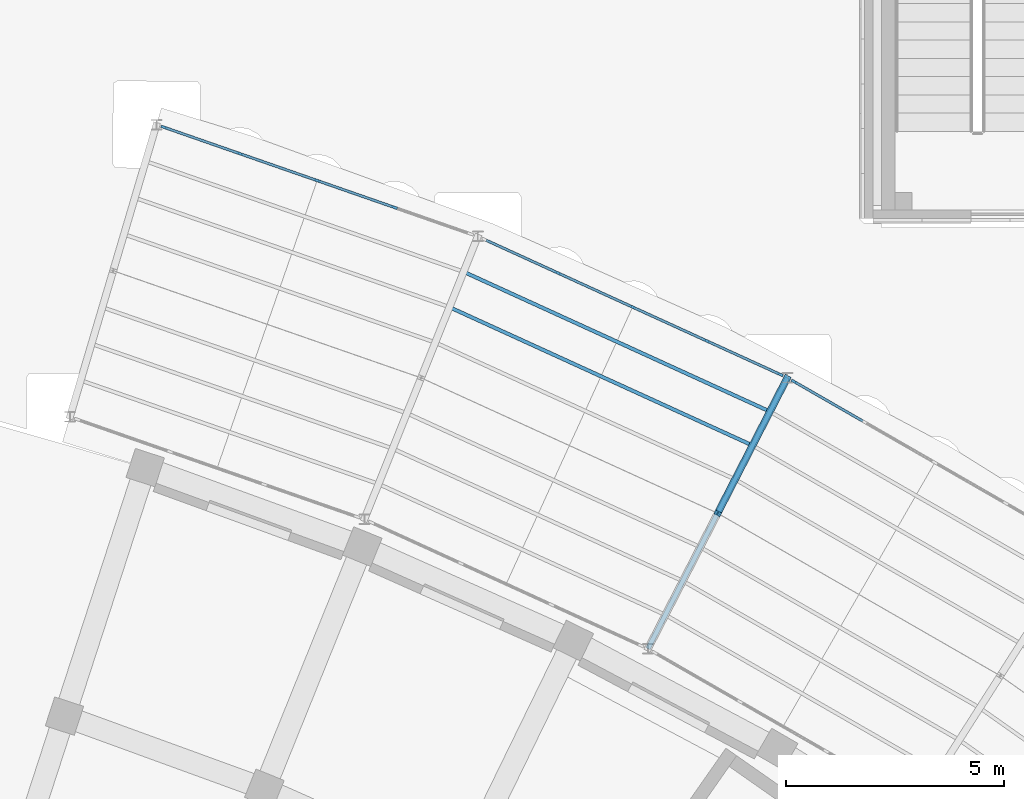
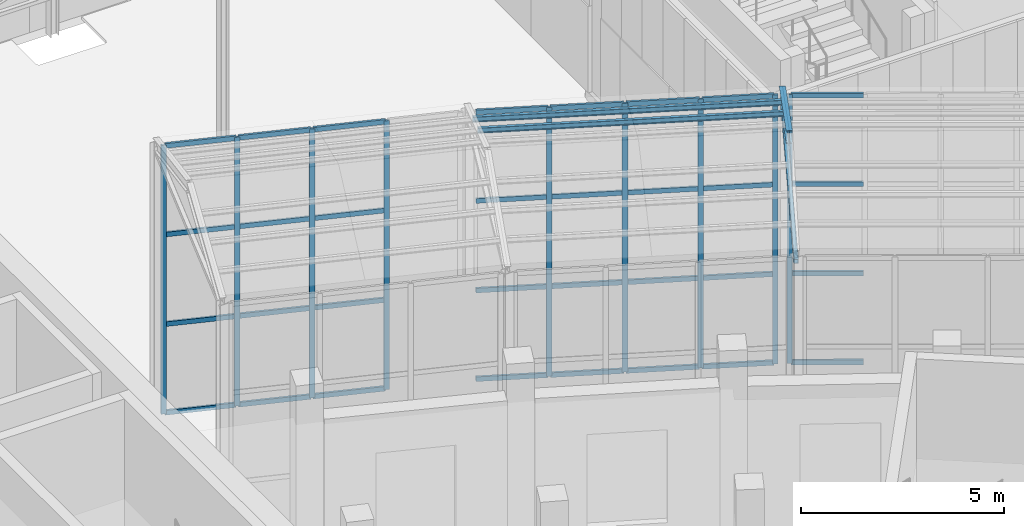
# One storey, part 47 of 155: 43 members, 2 beams, 3 elements without a shape of their own.
"""IFC4 building model written with IfcOpenShell, lengths in metres."""

from ifc_helpers import new_model, si_unit, direction, frame, origin, origin_2d, place, context, subcontext, project, spatial, rectangle, hollow_rectangle, i_section, extrude, material, layer, layer_set, material_profile, profile_set, type_object, element, aggregate, save


model = new_model("IFC4")

# Units and contexts
model_context = context("Model", 3, precision=1e-05, world=origin(), true_north=direction((0.0, 1.0)))
body_context = subcontext(model_context, "Body", "Model", "MODEL_VIEW")
ifc_project = project(units=[si_unit("LENGTHUNIT", "METRE"), si_unit("AREAUNIT", "SQUARE_METRE"), si_unit("VOLUMEUNIT", "CUBIC_METRE"), si_unit("PLANEANGLEUNIT", "RADIAN"), si_unit("MASSUNIT", "GRAM", prefix="KILO")], contexts=[model_context])

# Site, building, storey
site_placement = place(None, origin())
site = spatial("IfcSite", under=ifc_project, at=site_placement, CompositionType="ELEMENT")
building_placement = place(site_placement, origin())
building = spatial("IfcBuilding", under=site, at=building_placement, Name="Lunette Opera House", CompositionType="ELEMENT")
storey_placement = place(building_placement, origin())
storey = spatial("IfcBuildingStorey", under=building, at=storey_placement, Name="L00", CompositionType="ELEMENT", Elevation=0.0)

# Curtain wall, members
ifc_material_1 = material(Name="Aluminium", Category="aluminium")
ifc_layer = layer(ifc_material_1, 0.139892578125)
ifc_layer_set = layer_set([ifc_layer], Name="Aluminium")
curtain_wall_type = type_object("IfcCurtainWallType", Name="PASSAGE CURTAIN WALL", PredefinedType="NOTDEFINED", material=ifc_layer_set)
curtain_wall_1_placement = place(storey_placement, origin())
curtain_wall_1 = element("IfcCurtainWall", 1, at=curtain_wall_1_placement, inside=storey, type_object=curtain_wall_type, Name="Passage Curtain Wall EO1 L00", PredefinedType="NOTDEFINED")
ifc_material_2 = material(Name="Aluminium", Category="aluminium")
ifc_material_profile_1 = material_profile(ifc_material_2, rectangle(XDim=0.06005859375, YDim=0.139892578125, at=origin_2d()), Name="MULLION 60 X 140")
ifc_profile_set_1 = profile_set([ifc_material_profile_1], Name="Aluminium")
member_type_1 = type_object("IfcMemberType", Name="MULLION 60 X 140", PredefinedType="MULLION", material=ifc_profile_set_1)
member_1_placement = place(storey_placement, frame((119.914306640625, 80.09814453125, 0.0), z_axis=(0.0, 0.0, 1.0), x_axis=(0.328618707109, 0.94446267546, 0.0)))
member_1 = element("IfcMember", 2, at=member_1_placement, type_object=member_type_1, Name="PP-X2007 mullion 1", PredefinedType="MULLION", context=body_context, shape_type="SweptSolid", body=[
    extrude(rectangle(XDim=0.06005859375, YDim=0.139892578125, at=origin_2d()), origin(), (0.0, 0.0, 1.0), 8.10009765625),
])
member_2_placement = place(storey_placement, frame((121.659912109375, 79.49072265625, 0.0), z_axis=(0.0, 0.0, 1.0), x_axis=(0.328618707109, 0.94446267546, 0.0)))
member_2 = element("IfcMember", 3, at=member_2_placement, type_object=member_type_1, Name="PP-X2007 mullion 2", PredefinedType="MULLION", context=body_context, shape_type="SweptSolid", body=[
    extrude(rectangle(XDim=0.06005859375, YDim=0.139892578125, at=origin_2d()), origin(), (0.0, 0.0, 1.0), 8.10009765625),
])
member_3_placement = place(storey_placement, frame((123.43408203125, 78.87353515625, 0.0), z_axis=(0.0, 0.0, 1.0), x_axis=(0.328618707109, 0.94446267546, 0.0)))
member_3 = element("IfcMember", 4, at=member_3_placement, type_object=member_type_1, Name="PP-X2007 mullion 3", PredefinedType="MULLION", context=body_context, shape_type="SweptSolid", body=[
    extrude(rectangle(XDim=0.06005859375, YDim=0.139892578125, at=origin_2d()), origin(), (0.0, 0.0, 1.0), 8.10009765625),
])
member_4_placement = place(storey_placement, frame((125.2080078125, 78.25634765625, 0.0), z_axis=(0.0, 0.0, 1.0), x_axis=(0.328618707109, 0.94446267546, 0.0)))
member_4 = element("IfcMember", 5, at=member_4_placement, type_object=member_type_1, Name="PP-X2007 mullion 4", PredefinedType="MULLION", context=body_context, shape_type="SweptSolid", body=[
    extrude(rectangle(XDim=0.06005859375, YDim=0.139892578125, at=origin_2d()), origin(), (0.0, 0.0, 1.0), 8.10009765625),
])

curtain_wall_2_placement = place(storey_placement, origin())
curtain_wall_2 = element("IfcCurtainWall", 6, at=curtain_wall_2_placement, inside=storey, type_object=curtain_wall_type, Name="Passage Curtain Wall EO2 L00", PredefinedType="NOTDEFINED")
member_5_placement = place(storey_placement, frame((128.968994140625, 76.748046875, 0.0), z_axis=(0.0, 0.0, 1.0), x_axis=(0.415206161321, 0.909727345747, 0.0)))
member_5 = element("IfcMember", 7, at=member_5_placement, type_object=member_type_1, Name="PP-X2008 mullion 2", PredefinedType="MULLION", context=body_context, shape_type="SweptSolid", body=[
    extrude(rectangle(XDim=0.06005859375, YDim=0.139892578125, at=origin_2d()), origin(), (0.0, 0.0, 1.0), 8.10009765625),
])
member_6_placement = place(storey_placement, frame((130.677978515625, 75.968017578125, 0.0), z_axis=(0.0, 0.0, 1.0), x_axis=(0.415206161321, 0.909727345747, 0.0)))
member_6 = element("IfcMember", 8, at=member_6_placement, type_object=member_type_1, Name="PP-X2008 mullion 3", PredefinedType="MULLION", context=body_context, shape_type="SweptSolid", body=[
    extrude(rectangle(XDim=0.06005859375, YDim=0.139892578125, at=origin_2d()), origin(), (0.0, 0.0, 1.0), 8.10009765625),
])
member_7_placement = place(storey_placement, frame((132.386962890625, 75.18798828125, 0.0), z_axis=(0.0, 0.0, 1.0), x_axis=(0.415206161321, 0.909727345747, 0.0)))
member_7 = element("IfcMember", 9, at=member_7_placement, type_object=member_type_1, Name="PP-X2008 mullion 4", PredefinedType="MULLION", context=body_context, shape_type="SweptSolid", body=[
    extrude(rectangle(XDim=0.06005859375, YDim=0.139892578125, at=origin_2d()), origin(), (0.0, 0.0, 1.0), 8.10009765625),
])
member_8_placement = place(storey_placement, frame((134.068603515625, 74.42041015625, 0.0), z_axis=(0.0, 0.0, 1.0), x_axis=(0.415206161321, 0.909727345747, 0.0)))
member_8 = element("IfcMember", 10, at=member_8_placement, type_object=member_type_1, Name="PP-X2008 mullion 5", PredefinedType="MULLION", context=body_context, shape_type="SweptSolid", body=[
    extrude(rectangle(XDim=0.06005859375, YDim=0.139892578125, at=origin_2d()), origin(), (0.0, 0.0, 1.0), 8.10009765625),
])

# Curtain wall, member
curtain_wall_3_placement = place(storey_placement, origin())
curtain_wall_3 = element("IfcCurtainWall", 11, at=curtain_wall_3_placement, inside=storey, type_object=curtain_wall_type, Name="Passage Curtain Wall EO3 L00", PredefinedType="NOTDEFINED")
member_9_placement = place(storey_placement, frame((134.387939453125, 74.256103515625, 0.0), z_axis=(0.0, 0.0, 1.0), x_axis=(0.498416112536, 0.866937932475, 0.0)))
member_9 = element("IfcMember", 12, at=member_9_placement, type_object=member_type_1, Name="PP-X2009 mullion 1", PredefinedType="MULLION", context=body_context, shape_type="SweptSolid", body=[
    extrude(rectangle(XDim=0.06005859375, YDim=0.139892578125, at=origin_2d()), origin(), (0.0, 0.0, 1.0), 8.10009765625),
])

# Members
ifc_material_3 = material(Name="Steel S355", Category="steel")
ifc_material_profile_2 = material_profile(ifc_material_3, i_section(OverallWidth=0.08203125, OverallDepth=0.159912109375, WebThickness=0.0048828125, FlangeThickness=0.00732421875, FilletRadius=0.009033203125, at=origin_2d()), Name="IPE 160")
ifc_profile_set_2 = profile_set([ifc_material_profile_2], Name="Steel S355")
member_type_2 = type_object("IfcMemberType", Name="PURLIN IPE 160", PredefinedType="PURLIN", material=ifc_profile_set_2)
member_10_placement = place(storey_placement, frame((126.798095703125, 76.778076171875, 8.47509765625), z_axis=(0.909745825306, -0.415165669749, 0.0), x_axis=(0.415165669749, 0.909745825306, 0.0)))
element("IfcMember", 13, at=member_10_placement, inside=storey, type_object=member_type_2, Name="mem-PP-L00-PU6B1", PredefinedType="PURLIN", context=body_context, shape_type="SweptSolid", body=[
    extrude(i_section(OverallWidth=0.08203125, OverallDepth=0.159912109375, WebThickness=0.0048828125, FlangeThickness=0.00732421875, FilletRadius=0.009033203125, at=origin_2d()), origin(), (0.0, 0.0, 1.0), 7.731689453125),
])
member_11_placement = place(storey_placement, frame((126.471923828125, 75.966064453125, 8.75), z_axis=(0.909754562363, -0.415146523845, 0.0), x_axis=(0.415146523845, 0.909754562363, 0.0)))
element("IfcMember", 14, at=member_11_placement, inside=storey, type_object=member_type_2, Name="mem-PP-L00-PU6B2", PredefinedType="PURLIN", context=body_context, shape_type="SweptSolid", body=[
    extrude(i_section(OverallWidth=0.08203125, OverallDepth=0.159912109375, WebThickness=0.0048828125, FlangeThickness=0.00732421875, FilletRadius=0.009033203125, at=origin_2d()), origin(), (0.0, 0.0, 1.0), 7.650390625),
])

# Beams
ifc_material_4 = material(Name="Steel S355", Category="steel")
ifc_material_profile_3 = material_profile(ifc_material_4, i_section(OverallWidth=0.159912109375, OverallDepth=0.330078125, WebThickness=0.007568359375, FlangeThickness=0.011474609375, FilletRadius=0.01806640625, at=origin_2d()), Name="IPE 330")
ifc_profile_set_3 = profile_set([ifc_material_profile_3], Name="Steel S355")
beam_type_1 = type_object("IfcBeamType", Name="STEEL BEAM IPE 330", PredefinedType="BEAM", material=ifc_profile_set_3)
beam_1_placement = place(storey_placement, frame((134.23193359375, 74.345947265625, 8.14990234375), z_axis=(-0.436059399713, -0.848495865365, 0.299844903877), x_axis=(0.889419886037, -0.45709109193, 0.0)))
element("IfcBeam", 15, at=beam_1_placement, inside=storey, type_object=beam_type_1, Name="beam-PP-L00-RF7B", PredefinedType="BEAM", context=body_context, shape_type="SweptSolid", body=[
    extrude(i_section(OverallWidth=0.159912109375, OverallDepth=0.330078125, WebThickness=0.007568359375, FlangeThickness=0.011474609375, FilletRadius=0.01806640625, at=origin_2d()), origin(), (0.0, 0.0, 1.0), 3.6689453125),
])
ifc_material_5 = material(Name="Steel S355", Category="steel")
ifc_material_profile_4 = material_profile(ifc_material_5, hollow_rectangle(XDim=0.1201171875, YDim=0.1201171875, WallThickness=0.006103515625, InnerFilletRadius=0.006103515625, OuterFilletRadius=0.011962890625, at=origin_2d()), Name="RHS 120X120X6")
ifc_profile_set_4 = profile_set([ifc_material_profile_4], Name="Steel S355")
beam_type_2 = type_object("IfcBeamType", Name="STEEL BEAM RHS 120X120X6", PredefinedType="BEAM", material=ifc_profile_set_4)
beam_2_placement = place(storey_placement, frame((131.031005859375, 68.12109375, 7.949951171875), z_axis=(0.457299937783, 0.889312524877, 0.0), x_axis=(-0.889312524877, 0.457299937783, 0.0)))
element("IfcBeam", 16, at=beam_2_placement, inside=storey, type_object=beam_type_2, Name="beam-PP-L00-TI7", PredefinedType="BEAM", context=body_context, shape_type="SweptSolid", body=[
    extrude(hollow_rectangle(XDim=0.1201171875, YDim=0.1201171875, WallThickness=0.006103515625, InnerFilletRadius=0.006103515625, OuterFilletRadius=0.011962890625, at=origin_2d()), origin(), (0.0, 0.0, 1.0), 6.99951171875),
])

# Member
ifc_material_6 = material(Name="Aluminium", Category="aluminium")
ifc_material_profile_5 = material_profile(ifc_material_6, rectangle(XDim=0.06005859375, YDim=0.139892578125, at=origin_2d()), Name="TRANSOM 60 X 140")
ifc_profile_set_5 = profile_set([ifc_material_profile_5], Name="Aluminium")
member_type_3 = type_object("IfcMemberType", Name="TRANSOM 60 X 140", PredefinedType="USERDEFINED", material=ifc_profile_set_5)
member_12_placement = place(storey_placement, frame((119.942626953125, 80.08837890625, 0.030029296875), z_axis=(0.944423104543, -0.328732413377, 0.0), x_axis=(0.328732413377, 0.944423104543, 0.0)))
member_12 = element("IfcMember", 17, at=member_12_placement, type_object=member_type_3, Name="PP-X2007 transom 1.1", ObjectType="TRANSOM", PredefinedType="USERDEFINED", context=body_context, shape_type="SweptSolid", body=[
    extrude(rectangle(XDim=0.06005859375, YDim=0.139892578125, at=origin_2d()), origin(), (0.0, 0.0, 1.0), 1.788330078125),
])

member_13_placement = place(storey_placement, frame((119.942626953125, 80.08837890625, 2.699951171875), z_axis=(0.944423104543, -0.328732413377, 0.0), x_axis=(0.328732413377, 0.944423104543, 0.0)))
member_13 = element("IfcMember", 18, at=member_13_placement, type_object=member_type_3, Name="PP-X2007 transom 1.2", ObjectType="TRANSOM", PredefinedType="USERDEFINED", context=body_context, shape_type="SweptSolid", body=[
    extrude(rectangle(XDim=0.06005859375, YDim=0.139892578125, at=origin_2d()), origin(), (0.0, 0.0, 1.0), 1.788330078125),
])

member_14_placement = place(storey_placement, frame((119.942626953125, 80.08837890625, 5.39990234375), z_axis=(0.944423104543, -0.328732413377, 0.0), x_axis=(0.328732413377, 0.944423104543, 0.0)))
member_14 = element("IfcMember", 19, at=member_14_placement, type_object=member_type_3, Name="PP-X2007 transom 1.3", ObjectType="TRANSOM", PredefinedType="USERDEFINED", context=body_context, shape_type="SweptSolid", body=[
    extrude(rectangle(XDim=0.06005859375, YDim=0.139892578125, at=origin_2d()), origin(), (0.0, 0.0, 1.0), 1.788330078125),
])

member_15_placement = place(storey_placement, frame((119.942626953125, 80.08837890625, 8.070068359375), z_axis=(0.944423104543, -0.328732413377, 0.0), x_axis=(0.328732413377, 0.944423104543, 0.0)))
member_15 = element("IfcMember", 20, at=member_15_placement, type_object=member_type_3, Name="PP-X2007 transom 1.4", ObjectType="TRANSOM", PredefinedType="USERDEFINED", context=body_context, shape_type="SweptSolid", body=[
    extrude(rectangle(XDim=0.06005859375, YDim=0.139892578125, at=origin_2d()), origin(), (0.0, 0.0, 1.0), 1.788330078125),
])

member_16_placement = place(storey_placement, frame((121.688232421875, 79.48095703125, 0.030029296875), z_axis=(0.944453321112, -0.32864559063, 0.0), x_axis=(0.32864559063, 0.944453321112, 0.0)))
member_16 = element("IfcMember", 21, at=member_16_placement, type_object=member_type_3, Name="PP-X2007 transom 2.1", ObjectType="TRANSOM", PredefinedType="USERDEFINED", context=body_context, shape_type="SweptSolid", body=[
    extrude(rectangle(XDim=0.06005859375, YDim=0.139892578125, at=origin_2d()), origin(), (0.0, 0.0, 1.0), 1.818603515625),
])

member_17_placement = place(storey_placement, frame((121.688232421875, 79.48095703125, 2.699951171875), z_axis=(0.944453321112, -0.32864559063, 0.0), x_axis=(0.32864559063, 0.944453321112, 0.0)))
member_17 = element("IfcMember", 22, at=member_17_placement, type_object=member_type_3, Name="PP-X2007 transom 2.2", ObjectType="TRANSOM", PredefinedType="USERDEFINED", context=body_context, shape_type="SweptSolid", body=[
    extrude(rectangle(XDim=0.06005859375, YDim=0.139892578125, at=origin_2d()), origin(), (0.0, 0.0, 1.0), 1.818603515625),
])

member_18_placement = place(storey_placement, frame((121.688232421875, 79.48095703125, 5.39990234375), z_axis=(0.944453321112, -0.32864559063, 0.0), x_axis=(0.32864559063, 0.944453321112, 0.0)))
member_18 = element("IfcMember", 23, at=member_18_placement, type_object=member_type_3, Name="PP-X2007 transom 2.3", ObjectType="TRANSOM", PredefinedType="USERDEFINED", context=body_context, shape_type="SweptSolid", body=[
    extrude(rectangle(XDim=0.06005859375, YDim=0.139892578125, at=origin_2d()), origin(), (0.0, 0.0, 1.0), 1.818603515625),
])

member_19_placement = place(storey_placement, frame((121.688232421875, 79.48095703125, 8.070068359375), z_axis=(0.944453321112, -0.32864559063, 0.0), x_axis=(0.32864559063, 0.944453321112, 0.0)))
member_19 = element("IfcMember", 24, at=member_19_placement, type_object=member_type_3, Name="PP-X2007 transom 2.4", ObjectType="TRANSOM", PredefinedType="USERDEFINED", context=body_context, shape_type="SweptSolid", body=[
    extrude(rectangle(XDim=0.06005859375, YDim=0.139892578125, at=origin_2d()), origin(), (0.0, 0.0, 1.0), 1.818603515625),
])

member_20_placement = place(storey_placement, frame((123.46240234375, 78.863525390625, 0.030029296875), z_axis=(0.944480492509, -0.328567495759, 0.0), x_axis=(0.328567495759, 0.944480492509, 0.0)))
member_20 = element("IfcMember", 25, at=member_20_placement, type_object=member_type_3, Name="PP-X2007 transom 3.1", ObjectType="TRANSOM", PredefinedType="USERDEFINED", context=body_context, shape_type="SweptSolid", body=[
    extrude(rectangle(XDim=0.06005859375, YDim=0.139892578125, at=origin_2d()), origin(), (0.0, 0.0, 1.0), 1.818115234375),
])

member_21_placement = place(storey_placement, frame((123.46240234375, 78.863525390625, 2.699951171875), z_axis=(0.944480492509, -0.328567495759, 0.0), x_axis=(0.328567495759, 0.944480492509, 0.0)))
member_21 = element("IfcMember", 26, at=member_21_placement, type_object=member_type_3, Name="PP-X2007 transom 3.2", ObjectType="TRANSOM", PredefinedType="USERDEFINED", context=body_context, shape_type="SweptSolid", body=[
    extrude(rectangle(XDim=0.06005859375, YDim=0.139892578125, at=origin_2d()), origin(), (0.0, 0.0, 1.0), 1.818115234375),
])

member_22_placement = place(storey_placement, frame((123.46240234375, 78.863525390625, 5.39990234375), z_axis=(0.944480492509, -0.328567495759, 0.0), x_axis=(0.328567495759, 0.944480492509, 0.0)))
member_22 = element("IfcMember", 27, at=member_22_placement, type_object=member_type_3, Name="PP-X2007 transom 3.3", ObjectType="TRANSOM", PredefinedType="USERDEFINED", context=body_context, shape_type="SweptSolid", body=[
    extrude(rectangle(XDim=0.06005859375, YDim=0.139892578125, at=origin_2d()), origin(), (0.0, 0.0, 1.0), 1.818115234375),
])

member_23_placement = place(storey_placement, frame((123.46240234375, 78.863525390625, 8.070068359375), z_axis=(0.944480492509, -0.328567495759, 0.0), x_axis=(0.328567495759, 0.944480492509, 0.0)))
member_23 = element("IfcMember", 28, at=member_23_placement, type_object=member_type_3, Name="PP-X2007 transom 3.4", ObjectType="TRANSOM", PredefinedType="USERDEFINED", context=body_context, shape_type="SweptSolid", body=[
    extrude(rectangle(XDim=0.06005859375, YDim=0.139892578125, at=origin_2d()), origin(), (0.0, 0.0, 1.0), 1.818115234375),
])

aggregate(curtain_wall_1, [member_1, member_2, member_3, member_4, member_12, member_13, member_14, member_15, member_16, member_17, member_18, member_19, member_20, member_21, member_22, member_23])

member_24_placement = place(storey_placement, frame((127.314697265625, 77.503173828125, 0.030029296875), z_axis=(0.909701456837, -0.415262879907, 0.0), x_axis=(0.415262879907, 0.909701456837, 0.0)))
member_24 = element("IfcMember", 29, at=member_24_placement, type_object=member_type_3, Name="PP-X2008 transom 1.1", ObjectType="TRANSOM", PredefinedType="USERDEFINED", context=body_context, shape_type="SweptSolid", body=[
    extrude(rectangle(XDim=0.06005859375, YDim=0.139892578125, at=origin_2d()), origin(), (0.0, 0.0, 1.0), 1.788330078125),
])

member_25_placement = place(storey_placement, frame((127.314697265625, 77.503173828125, 2.699951171875), z_axis=(0.909701456837, -0.415262879907, 0.0), x_axis=(0.415262879907, 0.909701456837, 0.0)))
member_25 = element("IfcMember", 30, at=member_25_placement, type_object=member_type_3, Name="PP-X2008 transom 1.2", ObjectType="TRANSOM", PredefinedType="USERDEFINED", context=body_context, shape_type="SweptSolid", body=[
    extrude(rectangle(XDim=0.06005859375, YDim=0.139892578125, at=origin_2d()), origin(), (0.0, 0.0, 1.0), 1.788330078125),
])

member_26_placement = place(storey_placement, frame((127.314697265625, 77.503173828125, 5.39990234375), z_axis=(0.909701456837, -0.415262879907, 0.0), x_axis=(0.415262879907, 0.909701456837, 0.0)))
member_26 = element("IfcMember", 31, at=member_26_placement, type_object=member_type_3, Name="PP-X2008 transom 1.3", ObjectType="TRANSOM", PredefinedType="USERDEFINED", context=body_context, shape_type="SweptSolid", body=[
    extrude(rectangle(XDim=0.06005859375, YDim=0.139892578125, at=origin_2d()), origin(), (0.0, 0.0, 1.0), 1.788330078125),
])

member_27_placement = place(storey_placement, frame((127.314697265625, 77.503173828125, 8.070068359375), z_axis=(0.909701456837, -0.415262879907, 0.0), x_axis=(0.415262879907, 0.909701456837, 0.0)))
member_27 = element("IfcMember", 32, at=member_27_placement, type_object=member_type_3, Name="PP-X2008 transom 1.4", ObjectType="TRANSOM", PredefinedType="USERDEFINED", context=body_context, shape_type="SweptSolid", body=[
    extrude(rectangle(XDim=0.06005859375, YDim=0.139892578125, at=origin_2d()), origin(), (0.0, 0.0, 1.0), 1.788330078125),
])

member_28_placement = place(storey_placement, frame((128.996337890625, 76.735595703125, 0.030029296875), z_axis=(0.909707849584, -0.41524887526, 0.0), x_axis=(0.41524887526, 0.909707849584, 0.0)))
member_28 = element("IfcMember", 33, at=member_28_placement, type_object=member_type_3, Name="PP-X2008 transom 2.1", ObjectType="TRANSOM", PredefinedType="USERDEFINED", context=body_context, shape_type="SweptSolid", body=[
    extrude(rectangle(XDim=0.06005859375, YDim=0.139892578125, at=origin_2d()), origin(), (0.0, 0.0, 1.0), 1.818603515625),
])

member_29_placement = place(storey_placement, frame((128.996337890625, 76.735595703125, 2.699951171875), z_axis=(0.909707849584, -0.41524887526, 0.0), x_axis=(0.41524887526, 0.909707849584, 0.0)))
member_29 = element("IfcMember", 34, at=member_29_placement, type_object=member_type_3, Name="PP-X2008 transom 2.2", ObjectType="TRANSOM", PredefinedType="USERDEFINED", context=body_context, shape_type="SweptSolid", body=[
    extrude(rectangle(XDim=0.06005859375, YDim=0.139892578125, at=origin_2d()), origin(), (0.0, 0.0, 1.0), 1.818603515625),
])

member_30_placement = place(storey_placement, frame((128.996337890625, 76.735595703125, 5.39990234375), z_axis=(0.909707849584, -0.41524887526, 0.0), x_axis=(0.41524887526, 0.909707849584, 0.0)))
member_30 = element("IfcMember", 35, at=member_30_placement, type_object=member_type_3, Name="PP-X2008 transom 2.3", ObjectType="TRANSOM", PredefinedType="USERDEFINED", context=body_context, shape_type="SweptSolid", body=[
    extrude(rectangle(XDim=0.06005859375, YDim=0.139892578125, at=origin_2d()), origin(), (0.0, 0.0, 1.0), 1.818603515625),
])

member_31_placement = place(storey_placement, frame((128.996337890625, 76.735595703125, 8.070068359375), z_axis=(0.909707849584, -0.41524887526, 0.0), x_axis=(0.41524887526, 0.909707849584, 0.0)))
member_31 = element("IfcMember", 36, at=member_31_placement, type_object=member_type_3, Name="PP-X2008 transom 2.4", ObjectType="TRANSOM", PredefinedType="USERDEFINED", context=body_context, shape_type="SweptSolid", body=[
    extrude(rectangle(XDim=0.06005859375, YDim=0.139892578125, at=origin_2d()), origin(), (0.0, 0.0, 1.0), 1.818603515625),
])

member_32_placement = place(storey_placement, frame((130.705322265625, 75.95556640625, 0.030029296875), z_axis=(0.909707849584, -0.41524887526, 0.0), x_axis=(0.41524887526, 0.909707849584, 0.0)))
member_32 = element("IfcMember", 37, at=member_32_placement, type_object=member_type_3, Name="PP-X2008 transom 3.1", ObjectType="TRANSOM", PredefinedType="USERDEFINED", context=body_context, shape_type="SweptSolid", body=[
    extrude(rectangle(XDim=0.06005859375, YDim=0.139892578125, at=origin_2d()), origin(), (0.0, 0.0, 1.0), 1.818603515625),
])

member_33_placement = place(storey_placement, frame((130.705322265625, 75.95556640625, 2.699951171875), z_axis=(0.909707849584, -0.41524887526, 0.0), x_axis=(0.41524887526, 0.909707849584, 0.0)))
member_33 = element("IfcMember", 38, at=member_33_placement, type_object=member_type_3, Name="PP-X2008 transom 3.2", ObjectType="TRANSOM", PredefinedType="USERDEFINED", context=body_context, shape_type="SweptSolid", body=[
    extrude(rectangle(XDim=0.06005859375, YDim=0.139892578125, at=origin_2d()), origin(), (0.0, 0.0, 1.0), 1.818603515625),
])

member_34_placement = place(storey_placement, frame((130.705322265625, 75.95556640625, 5.39990234375), z_axis=(0.909707849584, -0.41524887526, 0.0), x_axis=(0.41524887526, 0.909707849584, 0.0)))
member_34 = element("IfcMember", 39, at=member_34_placement, type_object=member_type_3, Name="PP-X2008 transom 3.3", ObjectType="TRANSOM", PredefinedType="USERDEFINED", context=body_context, shape_type="SweptSolid", body=[
    extrude(rectangle(XDim=0.06005859375, YDim=0.139892578125, at=origin_2d()), origin(), (0.0, 0.0, 1.0), 1.818603515625),
])

member_35_placement = place(storey_placement, frame((130.705322265625, 75.95556640625, 8.070068359375), z_axis=(0.909707849584, -0.41524887526, 0.0), x_axis=(0.41524887526, 0.909707849584, 0.0)))
member_35 = element("IfcMember", 40, at=member_35_placement, type_object=member_type_3, Name="PP-X2008 transom 3.4", ObjectType="TRANSOM", PredefinedType="USERDEFINED", context=body_context, shape_type="SweptSolid", body=[
    extrude(rectangle(XDim=0.06005859375, YDim=0.139892578125, at=origin_2d()), origin(), (0.0, 0.0, 1.0), 1.818603515625),
])

member_36_placement = place(storey_placement, frame((132.414306640625, 75.175537109375, 0.030029296875), z_axis=(0.909724992652, -0.415211316976, 0.0), x_axis=(0.415211316976, 0.909724992652, 0.0)))
member_36 = element("IfcMember", 41, at=member_36_placement, type_object=member_type_3, Name="PP-X2008 transom 4.1", ObjectType="TRANSOM", PredefinedType="USERDEFINED", context=body_context, shape_type="SweptSolid", body=[
    extrude(rectangle(XDim=0.06005859375, YDim=0.139892578125, at=origin_2d()), origin(), (0.0, 0.0, 1.0), 1.78857421875),
])

member_37_placement = place(storey_placement, frame((132.414306640625, 75.175537109375, 2.699951171875), z_axis=(0.909724992652, -0.415211316976, 0.0), x_axis=(0.415211316976, 0.909724992652, 0.0)))
member_37 = element("IfcMember", 42, at=member_37_placement, type_object=member_type_3, Name="PP-X2008 transom 4.2", ObjectType="TRANSOM", PredefinedType="USERDEFINED", context=body_context, shape_type="SweptSolid", body=[
    extrude(rectangle(XDim=0.06005859375, YDim=0.139892578125, at=origin_2d()), origin(), (0.0, 0.0, 1.0), 1.78857421875),
])

member_38_placement = place(storey_placement, frame((132.414306640625, 75.175537109375, 5.39990234375), z_axis=(0.909724992652, -0.415211316976, 0.0), x_axis=(0.415211316976, 0.909724992652, 0.0)))
member_38 = element("IfcMember", 43, at=member_38_placement, type_object=member_type_3, Name="PP-X2008 transom 4.3", ObjectType="TRANSOM", PredefinedType="USERDEFINED", context=body_context, shape_type="SweptSolid", body=[
    extrude(rectangle(XDim=0.06005859375, YDim=0.139892578125, at=origin_2d()), origin(), (0.0, 0.0, 1.0), 1.78857421875),
])

member_39_placement = place(storey_placement, frame((132.414306640625, 75.175537109375, 8.070068359375), z_axis=(0.909724992652, -0.415211316976, 0.0), x_axis=(0.415211316976, 0.909724992652, 0.0)))
member_39 = element("IfcMember", 44, at=member_39_placement, type_object=member_type_3, Name="PP-X2008 transom 4.4", ObjectType="TRANSOM", PredefinedType="USERDEFINED", context=body_context, shape_type="SweptSolid", body=[
    extrude(rectangle(XDim=0.06005859375, YDim=0.139892578125, at=origin_2d()), origin(), (0.0, 0.0, 1.0), 1.78857421875),
])

aggregate(curtain_wall_2, [member_5, member_6, member_7, member_8, member_24, member_25, member_26, member_27, member_28, member_29, member_30, member_31, member_32, member_33, member_34, member_35, member_36, member_37, member_38, member_39])

member_40_placement = place(storey_placement, frame((134.4140625, 74.2412109375, 0.030029296875), z_axis=(0.866895980605, -0.49848907592, 0.0), x_axis=(0.49848907592, 0.866895980605, 0.0)))
member_40 = element("IfcMember", 45, at=member_40_placement, type_object=member_type_3, Name="PP-X2009 transom 1.1", ObjectType="TRANSOM", PredefinedType="USERDEFINED", context=body_context, shape_type="SweptSolid", body=[
    extrude(rectangle(XDim=0.06005859375, YDim=0.139892578125, at=origin_2d()), origin(), (0.0, 0.0, 1.0), 1.78857421875),
])

member_41_placement = place(storey_placement, frame((134.4140625, 74.2412109375, 2.699951171875), z_axis=(0.866895980605, -0.49848907592, 0.0), x_axis=(0.49848907592, 0.866895980605, 0.0)))
member_41 = element("IfcMember", 46, at=member_41_placement, type_object=member_type_3, Name="PP-X2009 transom 1.2", ObjectType="TRANSOM", PredefinedType="USERDEFINED", context=body_context, shape_type="SweptSolid", body=[
    extrude(rectangle(XDim=0.06005859375, YDim=0.139892578125, at=origin_2d()), origin(), (0.0, 0.0, 1.0), 1.78857421875),
])

member_42_placement = place(storey_placement, frame((134.4140625, 74.2412109375, 5.39990234375), z_axis=(0.866895980605, -0.49848907592, 0.0), x_axis=(0.49848907592, 0.866895980605, 0.0)))
member_42 = element("IfcMember", 47, at=member_42_placement, type_object=member_type_3, Name="PP-X2009 transom 1.3", ObjectType="TRANSOM", PredefinedType="USERDEFINED", context=body_context, shape_type="SweptSolid", body=[
    extrude(rectangle(XDim=0.06005859375, YDim=0.139892578125, at=origin_2d()), origin(), (0.0, 0.0, 1.0), 1.78857421875),
])

member_43_placement = place(storey_placement, frame((134.4140625, 74.2412109375, 8.070068359375), z_axis=(0.866895980605, -0.49848907592, 0.0), x_axis=(0.49848907592, 0.866895980605, 0.0)))
member_43 = element("IfcMember", 48, at=member_43_placement, type_object=member_type_3, Name="PP-X2009 transom 1.4", ObjectType="TRANSOM", PredefinedType="USERDEFINED", context=body_context, shape_type="SweptSolid", body=[
    extrude(rectangle(XDim=0.06005859375, YDim=0.139892578125, at=origin_2d()), origin(), (0.0, 0.0, 1.0), 1.78857421875),
])

aggregate(curtain_wall_3, [member_9, member_40, member_41, member_42, member_43])

save(model, "model.ifc")
